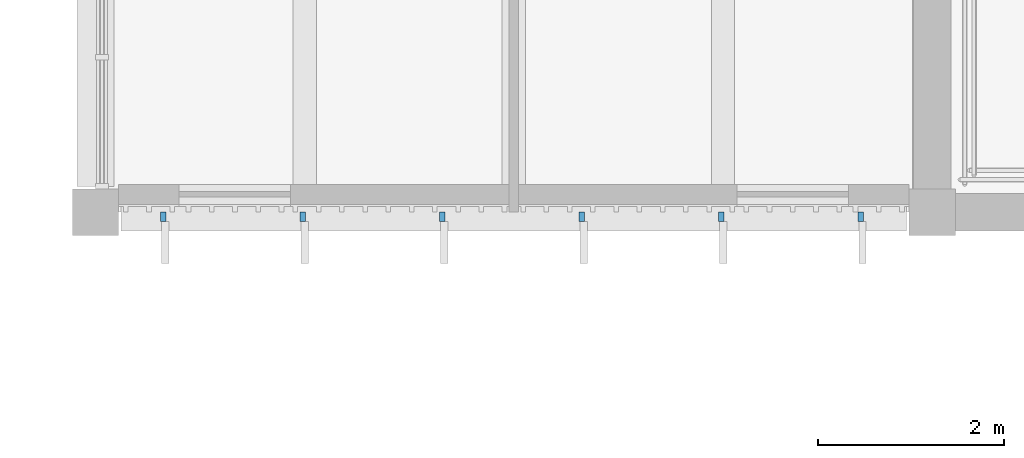
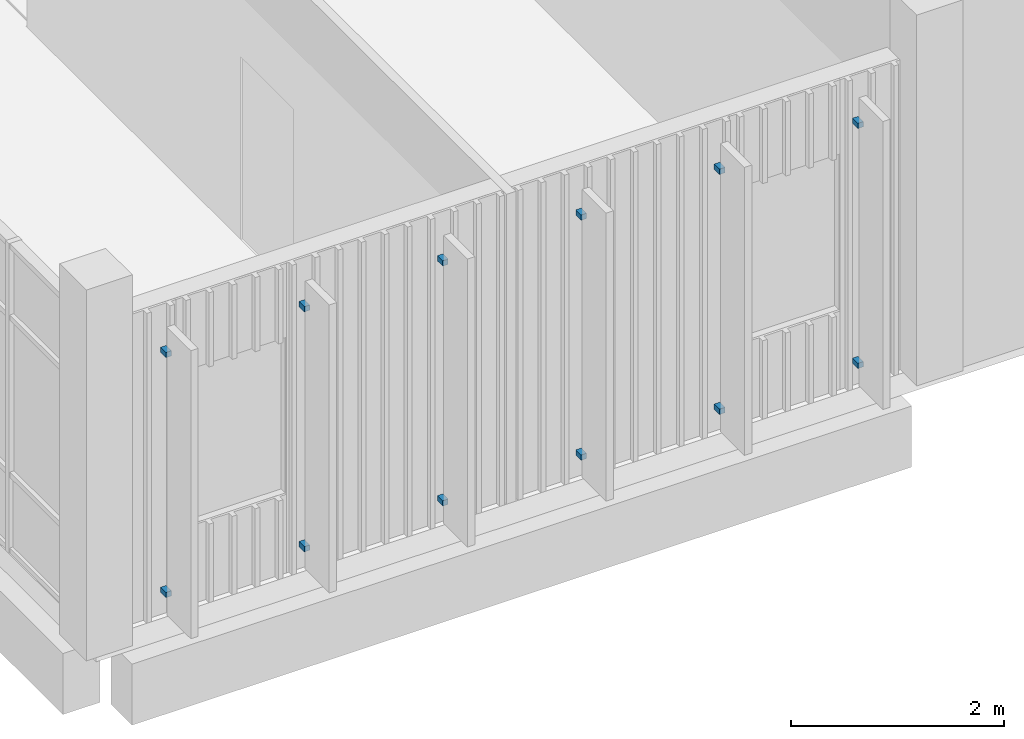
# One storey, part 66 of 92: 12 discrete accessories.
"""IFC4 building model written with IfcOpenShell, lengths in metres."""

import ifcopenshell
import ifcopenshell.guid

model = None  # the IFC model being written
_history = None  # IfcOwnerHistory: only IFC2X3 demands one
_inside = {}  # id of a spatial element -> (the spatial element, [elements in it])
_under = {}  # id of a project, library or spatial element -> (it, [spatial elements below it])
_declared = {}  # id of a project -> (the project, [libraries it declares])
_typed = {}  # id of a type object -> (the type object, [elements of that type])
_made_of = {}  # id of a material, layer set ... -> (it, [elements and type objects made of it])


def new_model(schema):
    """Start an empty IFC model of exactly this schema.

    Asked for "IFC4X3", IfcOpenShell would pick the latest addendum, in which some entities
    have other attributes; the version numbers below select the first issue.
    IFC2X3 requires an IfcOwnerHistory on every rooted entity: one is made here for all.
    """
    global model, _history
    if schema == "IFC4X3":
        model = ifcopenshell.file(schema_version=(4, 3, 0, 0))
    else:
        model = ifcopenshell.file(schema=schema)
    _inside.clear()
    _under.clear()
    _declared.clear()
    _typed.clear()
    _made_of.clear()
    _history = None
    if model.schema == "IFC2X3":
        org = make("IfcOrganization", Name="unknown")
        user = make(
            "IfcPersonAndOrganization",
            ThePerson=make("IfcPerson", FamilyName="unknown"),
            TheOrganization=org,
        )
        app = make(
            "IfcApplication",
            ApplicationDeveloper=org,
            Version="unknown",
            ApplicationFullName="unknown",
            ApplicationIdentifier="unknown",
        )
        _history = make(
            "IfcOwnerHistory",
            OwningUser=user,
            OwningApplication=app,
            ChangeAction="ADDED",
            CreationDate=0,
        )
    return model


def make(cls, **values):
    """One entity of the class cls with the attributes given. An attribute that is None is left unset."""
    return model.create_entity(
        cls, **{name: value for name, value in values.items() if value is not None}
    )


def rooted(cls, **values):
    """An entity with a GlobalId (a new one), such as an element, a storey or a relation."""
    return make(cls, GlobalId=ifcopenshell.guid.new(), OwnerHistory=_history, **values)


def si_unit(unit_type, name, prefix=None):
    """IfcSIUnit, for example si_unit("LENGTHUNIT", "METRE", prefix="MILLI")."""
    return make("IfcSIUnit", UnitType=unit_type, Prefix=prefix, Name=name)


def assignment(units):
    """IfcUnitAssignment: the units of a project."""
    return None if units is None else make("IfcUnitAssignment", Units=units)


def point(xyz):
    """IfcCartesianPoint."""
    return None if xyz is None else make("IfcCartesianPoint", Coordinates=xyz)


def direction(xyz):
    """IfcDirection."""
    return None if xyz is None else make("IfcDirection", DirectionRatios=xyz)


def frame(location, z_axis=None, x_axis=None):
    """IfcAxis2Placement3D, a coordinate frame: its origin and axes. An axis left out is left unset."""
    return make(
        "IfcAxis2Placement3D",
        Location=point(location),
        Axis=direction(z_axis),
        RefDirection=direction(x_axis),
    )


def origin():
    """The frame at (0, 0, 0) with its axes left unset."""
    return frame((0.0, 0.0, 0.0))


def place(relative_to, where):
    """IfcLocalPlacement: puts the frame where relative to a parent placement (None: the world)."""
    return make(
        "IfcLocalPlacement", PlacementRelTo=relative_to, RelativePlacement=where
    )


def context(
    kind, dimensions, precision=None, world=None, true_north=None, identifier=None
):
    """IfcGeometricRepresentationContext, for example the 3D "Model" context."""
    return make(
        "IfcGeometricRepresentationContext",
        ContextIdentifier=identifier,
        ContextType=kind,
        CoordinateSpaceDimension=dimensions,
        Precision=precision,
        WorldCoordinateSystem=world,
        TrueNorth=true_north,
    )


def subcontext(parent, identifier, kind, view, scale=None):
    """IfcGeometricRepresentationSubContext, for example "Body" below "Model"."""
    return make(
        "IfcGeometricRepresentationSubContext",
        ContextIdentifier=identifier,
        ContextType=kind,
        ParentContext=parent,
        TargetScale=scale,
        TargetView=view,
    )


def project(units=None, contexts=None):
    """IfcProject with its units and contexts."""
    return rooted(
        "IfcProject",
        Name="project",
        RepresentationContexts=contexts,
        UnitsInContext=assignment(units),
    )


def spatial(cls, under=None, at=None, **own):
    """A site, building, storey or space (cls), placed at a placement, below another one or the project."""
    s = rooted(cls, ObjectPlacement=at, **own)
    if under is not None:
        _under.setdefault(under.id(), (under, []))[1].append(s)
    return s


def polyline(points):
    """IfcPolyline through the points."""
    return make("IfcPolyline", Points=[point(p) for p in points])


def outline(outer, holes=None, kind="AREA"):
    """IfcArbitraryClosedProfileDef: a profile drawn as a closed curve; with holes, ...WithVoids."""
    if holes is None:
        return make("IfcArbitraryClosedProfileDef", ProfileType=kind, OuterCurve=outer)
    return make(
        "IfcArbitraryProfileDefWithVoids",
        ProfileType=kind,
        OuterCurve=outer,
        InnerCurves=holes,
    )


def extrude(swept, where, along, depth):
    """IfcExtrudedAreaSolid: the profile swept, set in the frame where, extruded along a direction by depth."""
    return make(
        "IfcExtrudedAreaSolid",
        SweptArea=swept,
        Position=where,
        ExtrudedDirection=direction(along),
        Depth=depth,
    )


def shape(context_of_items, identifier, shape_type, items):
    """IfcShapeRepresentation: the items that make up one representation, for example the "Body"."""
    return make(
        "IfcShapeRepresentation",
        ContextOfItems=context_of_items,
        RepresentationIdentifier=identifier,
        RepresentationType=shape_type,
        Items=items,
    )


def source(mapping_origin, context_of_items, identifier, shape_type, items):
    """IfcRepresentationMap: a shape defined once, which mapped items show again and again."""
    return make(
        "IfcRepresentationMap",
        MappingOrigin=mapping_origin,
        MappedRepresentation=shape(context_of_items, identifier, shape_type, items),
    )


def transform(
    local_origin,
    x_axis=None,
    y_axis=None,
    z_axis=None,
    scale=None,
    scale2=None,
    scale3=None,
    uniform=True,
):
    """IfcCartesianTransformationOperator3D, or its non-uniform kind. x_axis, y_axis, z_axis: its Axis1, 2, 3."""
    if uniform:
        return make(
            "IfcCartesianTransformationOperator3D",
            Axis1=direction(x_axis),
            Axis2=direction(y_axis),
            LocalOrigin=point(local_origin),
            Scale=scale,
            Axis3=direction(z_axis),
        )
    return make(
        "IfcCartesianTransformationOperator3DnonUniform",
        Axis1=direction(x_axis),
        Axis2=direction(y_axis),
        LocalOrigin=point(local_origin),
        Scale=scale,
        Axis3=direction(z_axis),
        Scale2=scale2,
        Scale3=scale3,
    )


def mapped(mapping_source, mapping_target):
    """IfcMappedItem: shows the shape of a source again, moved by a transform."""
    return make(
        "IfcMappedItem", MappingSource=mapping_source, MappingTarget=mapping_target
    )


def material(Name=None, Category=None):
    """IfcMaterial."""
    return make("IfcMaterial", Name=Name, Category=Category)


def made_of(thing, what):
    """Note that an element or type object is made of a material, layer set ...; save() writes the relation."""
    if what is not None:
        _made_of.setdefault(what.id(), (what, []))[1].append(thing)
    return thing


def type_object(cls, material=None, **own):
    """A type object (cls), such as IfcWallType, which elements share."""
    return made_of(rooted(cls, **own), material)


def element(
    cls,
    number,
    at=None,
    inside=None,
    cuts=None,
    type_object=None,
    material=None,
    context=None,
    identifier="Body",
    shape_type=None,
    held_by="IfcProductDefinitionShape",
    body=None,
    shapes=None,
    **own,
):
    """One element of the class cls, such as IfcWall. Its Tag is "e" and its number.

    at: its placement. inside: the storey or other place that contains it. cuts: it is an
    opening in that element (IfcRelVoidsElement). A single representation is given by context,
    identifier, shape_type and body (its items); several are given by shapes. held_by: the class
    of the entity that holds the representations. save() writes the other relations.
    """
    e = rooted(cls, Tag="e%d" % number, ObjectPlacement=at, **own)
    if body is not None:
        shapes = [shape(context, identifier, shape_type, body)]
    if shapes is not None:
        e.Representation = make(held_by, Representations=shapes)
    if inside is not None:
        _inside.setdefault(inside.id(), (inside, []))[1].append(e)
    if cuts is not None:
        rooted(
            "IfcRelVoidsElement", RelatingBuildingElement=cuts, RelatedOpeningElement=e
        )
    if type_object is not None:
        _typed.setdefault(type_object.id(), (type_object, []))[1].append(e)
    return made_of(e, material)


def aggregate(whole, parts):
    """IfcRelAggregates: a whole, such as a stair, and the parts it consists of."""
    return rooted("IfcRelAggregates", RelatingObject=whole, RelatedObjects=parts)


def save(model, path):
    """Write the relations noted so far, then the file.

    IfcRelAggregates (storeys below a building ...), IfcRelContainedInSpatialStructure (elements
    in a storey), IfcRelDefinesByType, IfcRelAssociatesMaterial and IfcRelDeclares: one each for
    every whole, place, type object, material and project.
    """
    for whole, parts in _under.values():
        aggregate(whole, parts)
    for where, things in _inside.values():
        rooted(
            "IfcRelContainedInSpatialStructure",
            RelatedElements=things,
            RelatingStructure=where,
        )
    for kind, things in _typed.values():
        rooted("IfcRelDefinesByType", RelatedObjects=things, RelatingType=kind)
    for what, things in _made_of.values():
        rooted("IfcRelAssociatesMaterial", RelatedObjects=things, RelatingMaterial=what)
    for by, libraries in _declared.values():
        rooted("IfcRelDeclares", RelatingContext=by, RelatedDefinitions=libraries)
    model.write(path)


model = new_model("IFC4")

# Units and contexts
model_context = context("Model", 3, precision=1e-05, world=origin(), true_north=direction((0.0, 1.0)))
body_context = subcontext(model_context, "Body", "Model", "MODEL_VIEW")
ifc_project = project(units=[si_unit("LENGTHUNIT", "METRE"), si_unit("AREAUNIT", "SQUARE_METRE"), si_unit("VOLUMEUNIT", "CUBIC_METRE"), si_unit("PLANEANGLEUNIT", "RADIAN"), si_unit("MASSUNIT", "GRAM", prefix="KILO")], contexts=[model_context])

# Site, building, storey
site_placement = place(None, origin())
site = spatial("IfcSite", under=ifc_project, at=site_placement, CompositionType="ELEMENT")
building_placement = place(site_placement, origin())
building = spatial("IfcBuilding", under=site, at=building_placement, Name="Merrow Basin Faculty of Sciences", CompositionType="ELEMENT")
storey_placement = place(building_placement, frame((0.0, 0.0, 4.5)))
storey = spatial("IfcBuildingStorey", under=building, at=storey_placement, Name="L01", CompositionType="ELEMENT", Elevation=4.5)

# Discrete accessories
ifc_material = material(Name="Steel ASTM A572 Gr 50", Category="steel")
discrete_accessory_type = type_object("IfcDiscreteAccessoryType", Name="Steel T bracket 60 x 60 timber fin", PredefinedType="BRACKET", material=ifc_material)
shared_shape = source(origin(), body_context, "Body", "SweptSolid", [
    extrude(outline(polyline([(0.0, 0.0), (0.06005859375, 0.0), (0.06005859375, 0.06005859375), (0.0, 0.06005859375), (0.0, 0.0)])), origin(), (0.0, 0.0, 1.0), 0.10009765625),
])
for number, where, z_axis, x_axis, name in (
    (1, (54.699951171875, 61.0009765625, 0.300048828125), (0.0, -1.0, 0.0), (1.0, 0.0, 0.0), "Fin bracket SL01"),
    (2, (54.699951171875, 61.0009765625, 3.050048828125), (0.0, -1.0, 0.0), (1.0, 0.0, 0.0), "Fin bracket SL01"),
    (3, (56.199951171875, 61.0009765625, 0.300048828125), (0.0, -1.0, 0.0), (1.0, 0.0, 0.0), "Fin bracket SL01"),
    (4, (56.199951171875, 61.0009765625, 3.050048828125), (0.0, -1.0, 0.0), (1.0, 0.0, 0.0), "Fin bracket SL01"),
    (5, (57.699951171875, 61.0009765625, 0.300048828125), (0.0, -1.0, 0.0), (1.0, 0.0, 0.0), "Fin bracket SL01"),
    (6, (57.699951171875, 61.0009765625, 3.050048828125), (0.0, -1.0, 0.0), (1.0, 0.0, 0.0), "Fin bracket SL01"),
    (7, (59.199951171875, 61.0009765625, 0.300048828125), (0.0, -1.0, 0.0), (1.0, 0.0, 0.0), "Fin bracket SL01"),
    (8, (59.199951171875, 61.0009765625, 3.050048828125), (0.0, -1.0, 0.0), (1.0, 0.0, 0.0), "Fin bracket SL01"),
    (9, (60.699951171875, 61.0009765625, 0.300048828125), (0.0, -1.0, 0.0), (1.0, 0.0, 0.0), "Fin bracket SL01"),
    (10, (60.699951171875, 61.0009765625, 3.050048828125), (0.0, -1.0, 0.0), (1.0, 0.0, 0.0), "Fin bracket SL01"),
    (11, (62.199951171875, 61.0009765625, 0.300048828125), (0.0, -1.0, 0.0), (1.0, 0.0, 0.0), "Fin bracket SL01"),
    (12, (62.199951171875, 61.0009765625, 3.050048828125), (0.0, -1.0, 0.0), (1.0, 0.0, 0.0), "Fin bracket SL01"),
):
    element("IfcDiscreteAccessory", number, at=place(storey_placement, frame(where, z_axis=z_axis, x_axis=x_axis)), inside=storey, type_object=discrete_accessory_type, Name=name, PredefinedType="BRACKET", context=body_context, shape_type="MappedRepresentation", body=[
        mapped(shared_shape, transform((0.0, 0.0, 0.0), scale=1.0)),
    ])

save(model, "model.ifc")
